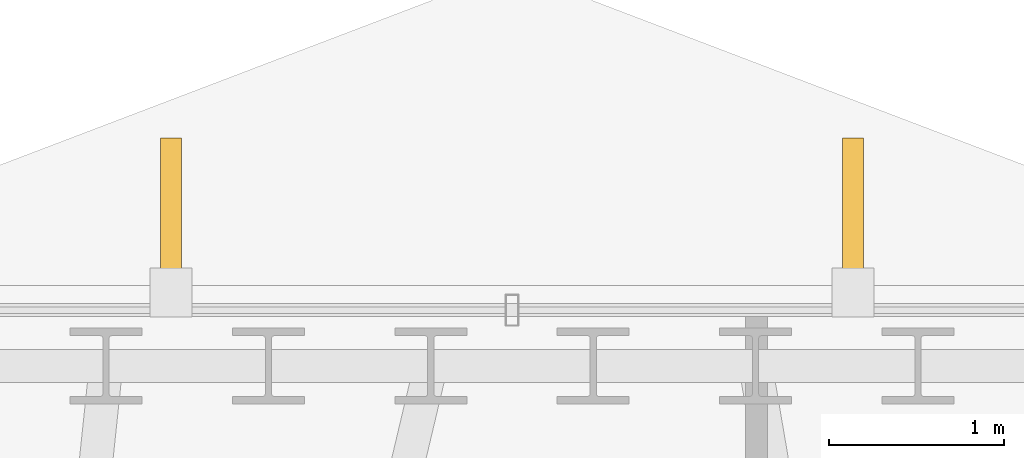
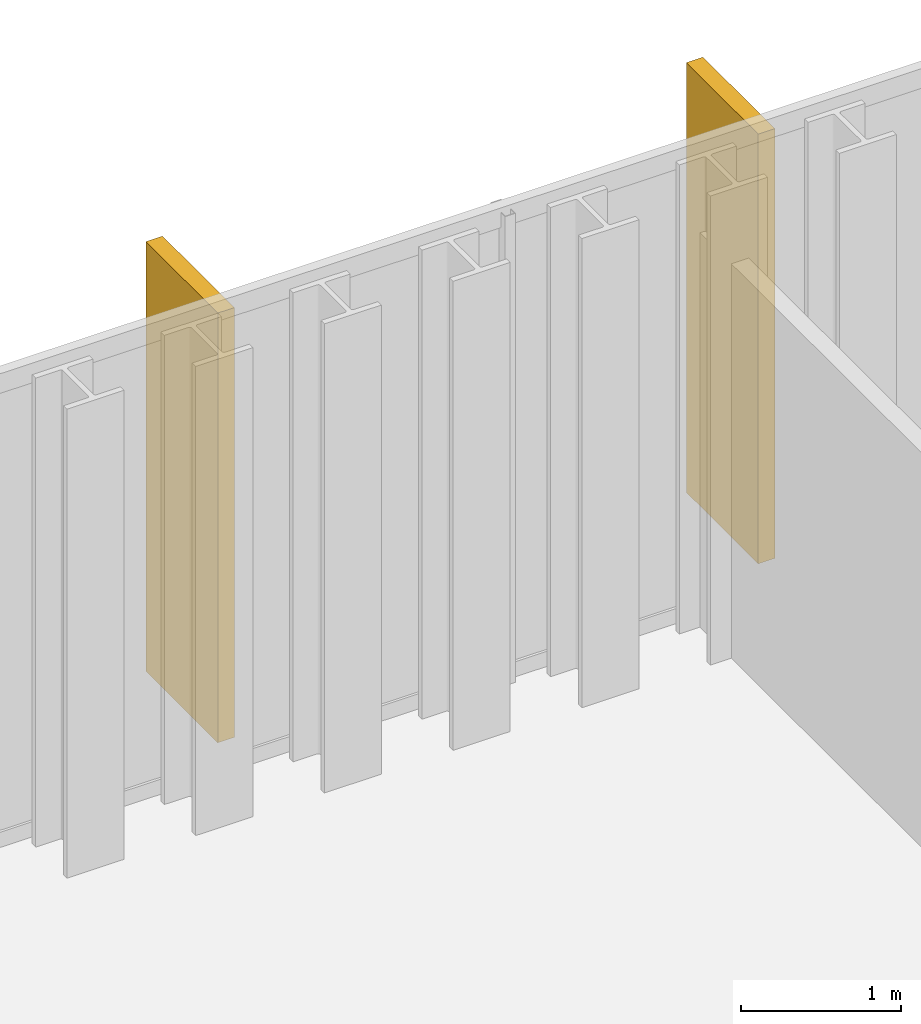
# One storey, part 37 of 37: 2 shading devices.
"""IFC4 building model written with IfcOpenShell, lengths in metres."""

from ifc_helpers import new_model, si_unit, direction, frame, origin, origin_2d, place, context, subcontext, project, spatial, rectangle, extrude, material, type_object, element, save


model = new_model("IFC4")

# Units and contexts
model_context = context("Model", 3, precision=1e-05, world=origin(), true_north=direction((0.0, 1.0)))
body_context = subcontext(model_context, "Body", "Model", "MODEL_VIEW")
ifc_project = project(units=[si_unit("LENGTHUNIT", "METRE"), si_unit("AREAUNIT", "SQUARE_METRE"), si_unit("VOLUMEUNIT", "CUBIC_METRE"), si_unit("PLANEANGLEUNIT", "RADIAN"), si_unit("MASSUNIT", "GRAM", prefix="KILO")], contexts=[model_context])

# Site, building, storey
site_placement = place(None, origin())
site = spatial("IfcSite", under=ifc_project, at=site_placement, CompositionType="ELEMENT")
building_placement = place(site_placement, origin())
building = spatial("IfcBuilding", under=site, at=building_placement, Name="Ndaravel Arena Tower", CompositionType="ELEMENT")
storey_placement = place(building_placement, frame((0.0, 0.0, 218.0)))
storey = spatial("IfcBuildingStorey", under=building, at=storey_placement, Name="L52", CompositionType="ELEMENT", Elevation=218.0)

# Shading devices
ifc_material = material(Name="Masonry", Category="masonry")
shading_device_type = type_object("IfcShadingDeviceType", Name="SHD-MAZERAS-FIN", PredefinedType="SHUTTER", material=ifc_material)
for number, where, z_axis, x_axis, name in (
    (1, (43.950927734375, 46.11181640625, 0.14990234375), (0.0, 0.0, 1.0), (0.0, 1.0, 0.0), "L52 Mazeras Stone Solar Fin E4.1"),
    (2, (40.049072265625, 46.11181640625, 0.14990234375), (0.0, 0.0, 1.0), (0.0, 1.0, 0.0), "L52 Mazeras Stone Solar Fin E4.2"),
):
    element("IfcShadingDevice", number, at=place(storey_placement, frame(where, z_axis=z_axis, x_axis=x_axis)), inside=storey, type_object=shading_device_type, Name=name, PredefinedType="SHUTTER", context=body_context, shape_type="SweptSolid", body=[
        extrude(rectangle(XDim=0.89990234375, YDim=0.1201171875, at=origin_2d()), origin(), (0.0, 0.0, 1.0), 3.280029296875),
    ])

save(model, "model.ifc")
